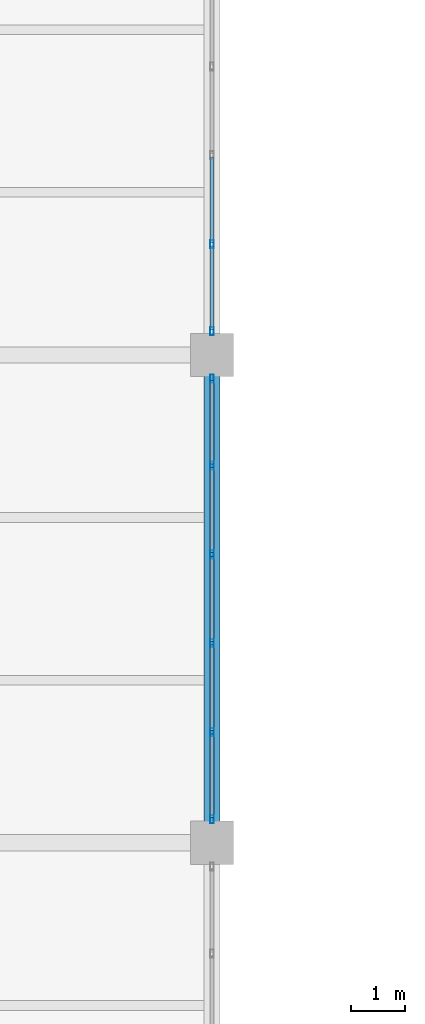
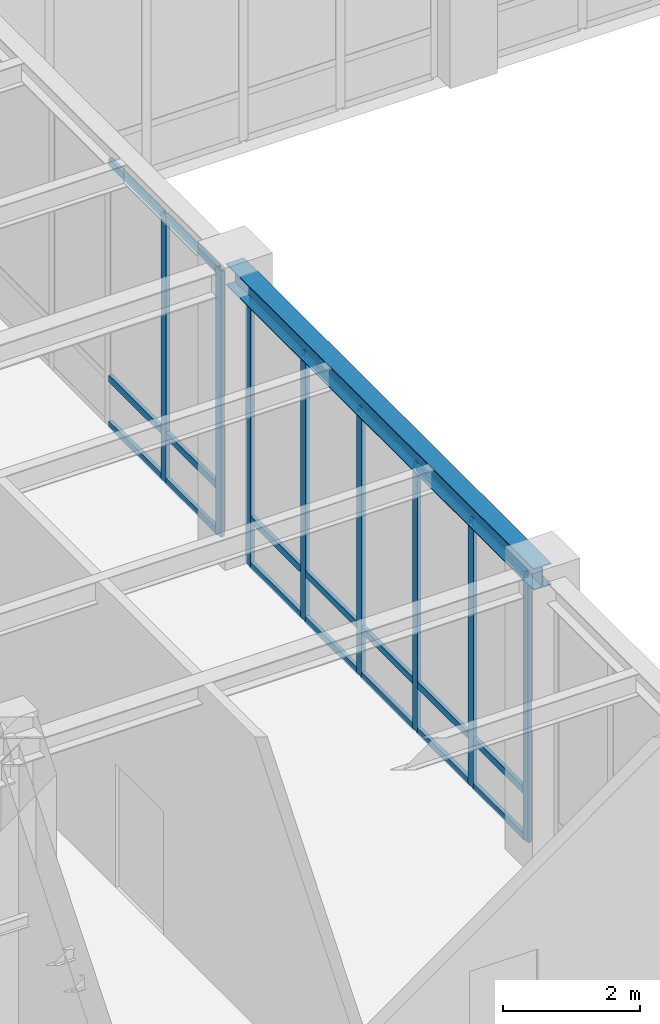
# One storey, part 25 of 77: 29 members, 1 beam, 2 elements without a shape of their own.
"""IFC4 building model written with IfcOpenShell, lengths in metres."""

from ifc_helpers import new_model, si_unit, direction, frame, origin, origin_2d, place, context, subcontext, project, spatial, hollow_rectangle, i_section, extrude, material, material_profile, profile_set, type_object, element, aggregate, save


model = new_model("IFC4")

# Units and contexts
model_context = context("Model", 3, precision=1e-05, world=origin(), true_north=direction((0.0, 1.0)))
body_context = subcontext(model_context, "Body", "Model", "MODEL_VIEW")
ifc_project = project(units=[si_unit("LENGTHUNIT", "METRE"), si_unit("AREAUNIT", "SQUARE_METRE"), si_unit("VOLUMEUNIT", "CUBIC_METRE"), si_unit("PLANEANGLEUNIT", "RADIAN"), si_unit("MASSUNIT", "GRAM", prefix="KILO")], contexts=[model_context])

# Site, building, storey
site_placement = place(None, origin())
site = spatial("IfcSite", under=ifc_project, at=site_placement, CompositionType="ELEMENT")
building_placement = place(site_placement, origin())
building = spatial("IfcBuilding", under=site, at=building_placement, Name="Lykobir Media Centre", CompositionType="ELEMENT")
storey_placement = place(building_placement, origin())
storey = spatial("IfcBuildingStorey", under=building, at=storey_placement, Name="L00", CompositionType="ELEMENT", Elevation=0.0)

# Beam
ifc_material_1 = material(Name="Steel S355", Category="steel")
ifc_material_profile_1 = material_profile(ifc_material_1, i_section(OverallWidth=0.300048828125, OverallDepth=0.389892578125, WebThickness=0.010986328125, FlangeThickness=0.01904296875, at=origin_2d()), Name="HEA 400")
ifc_profile_set_1 = profile_set([ifc_material_profile_1], Name="Steel S355")
beam_type = type_object("IfcBeamType", Name="BM-HEA400", PredefinedType="BEAM", material=ifc_profile_set_1)
beam_placement = place(storey_placement, frame((36.0, 45.0, 4.965087890625), z_axis=(0.0, 1.0, 0.0), x_axis=(-1.0, 0.0, 0.0)))
element("IfcBeam", 1, at=beam_placement, inside=storey, type_object=beam_type, Name="Beam BM-L00-0360-0450-0360-0540-496", PredefinedType="BEAM", context=body_context, shape_type="SweptSolid", body=[
    extrude(i_section(OverallWidth=0.300048828125, OverallDepth=0.389892578125, WebThickness=0.010986328125, FlangeThickness=0.01904296875, at=origin_2d()), origin(), (0.0, 0.0, 1.0), 9.0),
])

# Curtain wall, members
ifc_material_2 = material(Name="Anodized Aluminium AW-6060", Category="aluminium")
curtain_wall_type = type_object("IfcCurtainWallType", Name="CW-COURT-A", PredefinedType="NOTDEFINED", material=ifc_material_2)
curtain_wall_1_placement = place(storey_placement, origin())
curtain_wall_1 = element("IfcCurtainWall", 2, at=curtain_wall_1_placement, inside=storey, type_object=curtain_wall_type, Name="Curtain wall CW2-L00-0017", PredefinedType="NOTDEFINED")
ifc_material_profile_2 = material_profile(ifc_material_2, hollow_rectangle(XDim=0.06494140625, YDim=0.14990234375, WallThickness=0.00341796875, at=origin_2d()), Name="ALU MULLION 65x150")
ifc_profile_set_2 = profile_set([ifc_material_profile_2], Name="Anodized Aluminium AW-6060")
member_type_1 = type_object("IfcMemberType", Name="CWM-150", PredefinedType="MULLION", material=ifc_profile_set_2)
member_1_placement = place(storey_placement, frame((36.0, 53.5625, 0.0), z_axis=(0.0, 0.0, 1.0), x_axis=(1.0, 0.0, 0.0)))
member_1 = element("IfcMember", 3, at=member_1_placement, type_object=member_type_1, Name="CW2-L00-0017 mullion 1", PredefinedType="MULLION", context=body_context, shape_type="SweptSolid", body=[
    extrude(hollow_rectangle(XDim=0.06494140625, YDim=0.14990234375, WallThickness=0.00341796875, at=origin_2d()), origin(), (0.0, 0.0, 1.0), 4.7548828125),
])
member_2_placement = place(storey_placement, frame((36.0, 51.95703125, 0.0), z_axis=(0.0, 0.0, 1.0), x_axis=(1.0, 0.0, 0.0)))
member_2 = element("IfcMember", 4, at=member_2_placement, type_object=member_type_1, Name="CW2-L00-0017 mullion 2", PredefinedType="MULLION", context=body_context, shape_type="SweptSolid", body=[
    extrude(hollow_rectangle(XDim=0.06494140625, YDim=0.14990234375, WallThickness=0.00341796875, at=origin_2d()), origin(), (0.0, 0.0, 1.0), 4.7548828125),
])
member_3_placement = place(storey_placement, frame((36.0, 50.319091796875, 0.0), z_axis=(0.0, 0.0, 1.0), x_axis=(1.0, 0.0, 0.0)))
member_3 = element("IfcMember", 5, at=member_3_placement, type_object=member_type_1, Name="CW2-L00-0017 mullion 3", PredefinedType="MULLION", context=body_context, shape_type="SweptSolid", body=[
    extrude(hollow_rectangle(XDim=0.06494140625, YDim=0.14990234375, WallThickness=0.00341796875, at=origin_2d()), origin(), (0.0, 0.0, 1.0), 4.7548828125),
])
member_4_placement = place(storey_placement, frame((36.0, 48.680908203125, 0.0), z_axis=(0.0, 0.0, 1.0), x_axis=(1.0, 0.0, 0.0)))
member_4 = element("IfcMember", 6, at=member_4_placement, type_object=member_type_1, Name="CW2-L00-0017 mullion 4", PredefinedType="MULLION", context=body_context, shape_type="SweptSolid", body=[
    extrude(hollow_rectangle(XDim=0.06494140625, YDim=0.14990234375, WallThickness=0.00341796875, at=origin_2d()), origin(), (0.0, 0.0, 1.0), 4.7548828125),
])
member_5_placement = place(storey_placement, frame((36.0, 47.04296875, 0.0), z_axis=(0.0, 0.0, 1.0), x_axis=(1.0, 0.0, 0.0)))
member_5 = element("IfcMember", 7, at=member_5_placement, type_object=member_type_1, Name="CW2-L00-0017 mullion 5", PredefinedType="MULLION", context=body_context, shape_type="SweptSolid", body=[
    extrude(hollow_rectangle(XDim=0.06494140625, YDim=0.14990234375, WallThickness=0.00341796875, at=origin_2d()), origin(), (0.0, 0.0, 1.0), 4.7548828125),
])
member_6_placement = place(storey_placement, frame((36.0, 45.4375, 0.0), z_axis=(0.0, 0.0, 1.0), x_axis=(1.0, 0.0, 0.0)))
member_6 = element("IfcMember", 8, at=member_6_placement, type_object=member_type_1, Name="CW2-L00-0017 mullion 6", PredefinedType="MULLION", context=body_context, shape_type="SweptSolid", body=[
    extrude(hollow_rectangle(XDim=0.06494140625, YDim=0.14990234375, WallThickness=0.00341796875, at=origin_2d()), origin(), (0.0, 0.0, 1.0), 4.7548828125),
])

curtain_wall_2_placement = place(storey_placement, origin())
curtain_wall_2 = element("IfcCurtainWall", 9, at=curtain_wall_2_placement, inside=storey, type_object=curtain_wall_type, Name="Curtain wall CW2-L00-0018", PredefinedType="NOTDEFINED")
member_7_placement = place(storey_placement, frame((36.0, 56.04296875, 0.0), z_axis=(0.0, 0.0, 1.0), x_axis=(1.0, 0.0, 0.0)))
member_7 = element("IfcMember", 10, at=member_7_placement, type_object=member_type_1, Name="CW2-L00-0018 mullion 5", PredefinedType="MULLION", context=body_context, shape_type="SweptSolid", body=[
    extrude(hollow_rectangle(XDim=0.06494140625, YDim=0.14990234375, WallThickness=0.00341796875, at=origin_2d()), origin(), (0.0, 0.0, 1.0), 4.7548828125),
])
member_8_placement = place(storey_placement, frame((36.0, 54.4375, 0.0), z_axis=(0.0, 0.0, 1.0), x_axis=(1.0, 0.0, 0.0)))
member_8 = element("IfcMember", 11, at=member_8_placement, type_object=member_type_1, Name="CW2-L00-0018 mullion 6", PredefinedType="MULLION", context=body_context, shape_type="SweptSolid", body=[
    extrude(hollow_rectangle(XDim=0.06494140625, YDim=0.14990234375, WallThickness=0.00341796875, at=origin_2d()), origin(), (0.0, 0.0, 1.0), 4.7548828125),
])

# Member
ifc_material_profile_3 = material_profile(ifc_material_2, hollow_rectangle(XDim=0.06494140625, YDim=0.1201171875, WallThickness=0.0029296875, at=origin_2d()), Name="ALU TRANSOM 65x120")
ifc_profile_set_3 = profile_set([ifc_material_profile_3], Name="Anodized Aluminium AW-6060")
member_type_2 = type_object("IfcMemberType", Name="CWT-120", PredefinedType="USERDEFINED", material=ifc_profile_set_3)
member_9_placement = place(storey_placement, frame((36.0, 53.530029296875, 0.032470703125), z_axis=(0.0, -1.0, 0.0), x_axis=(1.0, 0.0, 0.0)))
member_9 = element("IfcMember", 12, at=member_9_placement, type_object=member_type_2, Name="CW2-L00-0017 transom 1.1", ObjectType="TRANSOM", PredefinedType="USERDEFINED", context=body_context, shape_type="SweptSolid", body=[
    extrude(hollow_rectangle(XDim=0.06494140625, YDim=0.1201171875, WallThickness=0.0029296875, at=origin_2d()), origin(), (0.0, 0.0, 1.0), 1.54052734375),
])

member_10_placement = place(storey_placement, frame((36.0, 53.530029296875, 0.85009765625), z_axis=(0.0, -1.0, 0.0), x_axis=(1.0, 0.0, 0.0)))
member_10 = element("IfcMember", 13, at=member_10_placement, type_object=member_type_2, Name="CW2-L00-0017 transom 1.2", ObjectType="TRANSOM", PredefinedType="USERDEFINED", context=body_context, shape_type="SweptSolid", body=[
    extrude(hollow_rectangle(XDim=0.06494140625, YDim=0.1201171875, WallThickness=0.0029296875, at=origin_2d()), origin(), (0.0, 0.0, 1.0), 1.54052734375),
])

member_11_placement = place(storey_placement, frame((36.0, 53.530029296875, 4.722412109375), z_axis=(0.0, -1.0, 0.0), x_axis=(1.0, 0.0, 0.0)))
member_11 = element("IfcMember", 14, at=member_11_placement, type_object=member_type_2, Name="CW2-L00-0017 transom 1.3", ObjectType="TRANSOM", PredefinedType="USERDEFINED", context=body_context, shape_type="SweptSolid", body=[
    extrude(hollow_rectangle(XDim=0.06494140625, YDim=0.1201171875, WallThickness=0.0029296875, at=origin_2d()), origin(), (0.0, 0.0, 1.0), 1.54052734375),
])

member_12_placement = place(storey_placement, frame((36.0, 51.924560546875, 0.032470703125), z_axis=(0.0, -1.0, 0.0), x_axis=(1.0, 0.0, 0.0)))
member_12 = element("IfcMember", 15, at=member_12_placement, type_object=member_type_2, Name="CW2-L00-0017 transom 2.1", ObjectType="TRANSOM", PredefinedType="USERDEFINED", context=body_context, shape_type="SweptSolid", body=[
    extrude(hollow_rectangle(XDim=0.06494140625, YDim=0.1201171875, WallThickness=0.0029296875, at=origin_2d()), origin(), (0.0, 0.0, 1.0), 1.572998046875),
])

member_13_placement = place(storey_placement, frame((36.0, 51.924560546875, 0.85009765625), z_axis=(0.0, -1.0, 0.0), x_axis=(1.0, 0.0, 0.0)))
member_13 = element("IfcMember", 16, at=member_13_placement, type_object=member_type_2, Name="CW2-L00-0017 transom 2.2", ObjectType="TRANSOM", PredefinedType="USERDEFINED", context=body_context, shape_type="SweptSolid", body=[
    extrude(hollow_rectangle(XDim=0.06494140625, YDim=0.1201171875, WallThickness=0.0029296875, at=origin_2d()), origin(), (0.0, 0.0, 1.0), 1.572998046875),
])

member_14_placement = place(storey_placement, frame((36.0, 51.924560546875, 4.722412109375), z_axis=(0.0, -1.0, 0.0), x_axis=(1.0, 0.0, 0.0)))
member_14 = element("IfcMember", 17, at=member_14_placement, type_object=member_type_2, Name="CW2-L00-0017 transom 2.3", ObjectType="TRANSOM", PredefinedType="USERDEFINED", context=body_context, shape_type="SweptSolid", body=[
    extrude(hollow_rectangle(XDim=0.06494140625, YDim=0.1201171875, WallThickness=0.0029296875, at=origin_2d()), origin(), (0.0, 0.0, 1.0), 1.572998046875),
])

member_15_placement = place(storey_placement, frame((36.0, 50.28662109375, 0.032470703125), z_axis=(0.0, -1.0, 0.0), x_axis=(1.0, 0.0, 0.0)))
member_15 = element("IfcMember", 18, at=member_15_placement, type_object=member_type_2, Name="CW2-L00-0017 transom 3.1", ObjectType="TRANSOM", PredefinedType="USERDEFINED", context=body_context, shape_type="SweptSolid", body=[
    extrude(hollow_rectangle(XDim=0.06494140625, YDim=0.1201171875, WallThickness=0.0029296875, at=origin_2d()), origin(), (0.0, 0.0, 1.0), 1.5732421875),
])

member_16_placement = place(storey_placement, frame((36.0, 50.28662109375, 0.85009765625), z_axis=(0.0, -1.0, 0.0), x_axis=(1.0, 0.0, 0.0)))
member_16 = element("IfcMember", 19, at=member_16_placement, type_object=member_type_2, Name="CW2-L00-0017 transom 3.2", ObjectType="TRANSOM", PredefinedType="USERDEFINED", context=body_context, shape_type="SweptSolid", body=[
    extrude(hollow_rectangle(XDim=0.06494140625, YDim=0.1201171875, WallThickness=0.0029296875, at=origin_2d()), origin(), (0.0, 0.0, 1.0), 1.5732421875),
])

member_17_placement = place(storey_placement, frame((36.0, 50.28662109375, 4.722412109375), z_axis=(0.0, -1.0, 0.0), x_axis=(1.0, 0.0, 0.0)))
member_17 = element("IfcMember", 20, at=member_17_placement, type_object=member_type_2, Name="CW2-L00-0017 transom 3.3", ObjectType="TRANSOM", PredefinedType="USERDEFINED", context=body_context, shape_type="SweptSolid", body=[
    extrude(hollow_rectangle(XDim=0.06494140625, YDim=0.1201171875, WallThickness=0.0029296875, at=origin_2d()), origin(), (0.0, 0.0, 1.0), 1.5732421875),
])

member_18_placement = place(storey_placement, frame((36.0, 48.6484375, 0.032470703125), z_axis=(0.0, -1.0, 0.0), x_axis=(1.0, 0.0, 0.0)))
member_18 = element("IfcMember", 21, at=member_18_placement, type_object=member_type_2, Name="CW2-L00-0017 transom 4.1", ObjectType="TRANSOM", PredefinedType="USERDEFINED", context=body_context, shape_type="SweptSolid", body=[
    extrude(hollow_rectangle(XDim=0.06494140625, YDim=0.1201171875, WallThickness=0.0029296875, at=origin_2d()), origin(), (0.0, 0.0, 1.0), 1.572998046875),
])

member_19_placement = place(storey_placement, frame((36.0, 48.6484375, 0.85009765625), z_axis=(0.0, -1.0, 0.0), x_axis=(1.0, 0.0, 0.0)))
member_19 = element("IfcMember", 22, at=member_19_placement, type_object=member_type_2, Name="CW2-L00-0017 transom 4.2", ObjectType="TRANSOM", PredefinedType="USERDEFINED", context=body_context, shape_type="SweptSolid", body=[
    extrude(hollow_rectangle(XDim=0.06494140625, YDim=0.1201171875, WallThickness=0.0029296875, at=origin_2d()), origin(), (0.0, 0.0, 1.0), 1.572998046875),
])

member_20_placement = place(storey_placement, frame((36.0, 48.6484375, 4.722412109375), z_axis=(0.0, -1.0, 0.0), x_axis=(1.0, 0.0, 0.0)))
member_20 = element("IfcMember", 23, at=member_20_placement, type_object=member_type_2, Name="CW2-L00-0017 transom 4.3", ObjectType="TRANSOM", PredefinedType="USERDEFINED", context=body_context, shape_type="SweptSolid", body=[
    extrude(hollow_rectangle(XDim=0.06494140625, YDim=0.1201171875, WallThickness=0.0029296875, at=origin_2d()), origin(), (0.0, 0.0, 1.0), 1.572998046875),
])

member_21_placement = place(storey_placement, frame((36.0, 47.010498046875, 0.032470703125), z_axis=(0.0, -1.0, 0.0), x_axis=(1.0, 0.0, 0.0)))
member_21 = element("IfcMember", 24, at=member_21_placement, type_object=member_type_2, Name="CW2-L00-0017 transom 5.1", ObjectType="TRANSOM", PredefinedType="USERDEFINED", context=body_context, shape_type="SweptSolid", body=[
    extrude(hollow_rectangle(XDim=0.06494140625, YDim=0.1201171875, WallThickness=0.0029296875, at=origin_2d()), origin(), (0.0, 0.0, 1.0), 1.54052734375),
])

member_22_placement = place(storey_placement, frame((36.0, 47.010498046875, 0.85009765625), z_axis=(0.0, -1.0, 0.0), x_axis=(1.0, 0.0, 0.0)))
member_22 = element("IfcMember", 25, at=member_22_placement, type_object=member_type_2, Name="CW2-L00-0017 transom 5.2", ObjectType="TRANSOM", PredefinedType="USERDEFINED", context=body_context, shape_type="SweptSolid", body=[
    extrude(hollow_rectangle(XDim=0.06494140625, YDim=0.1201171875, WallThickness=0.0029296875, at=origin_2d()), origin(), (0.0, 0.0, 1.0), 1.54052734375),
])

member_23_placement = place(storey_placement, frame((36.0, 47.010498046875, 4.722412109375), z_axis=(0.0, -1.0, 0.0), x_axis=(1.0, 0.0, 0.0)))
member_23 = element("IfcMember", 26, at=member_23_placement, type_object=member_type_2, Name="CW2-L00-0017 transom 5.3", ObjectType="TRANSOM", PredefinedType="USERDEFINED", context=body_context, shape_type="SweptSolid", body=[
    extrude(hollow_rectangle(XDim=0.06494140625, YDim=0.1201171875, WallThickness=0.0029296875, at=origin_2d()), origin(), (0.0, 0.0, 1.0), 1.54052734375),
])

aggregate(curtain_wall_1, [member_1, member_2, member_3, member_4, member_5, member_6, member_9, member_10, member_11, member_12, member_13, member_14, member_15, member_16, member_17, member_18, member_19, member_20, member_21, member_22, member_23])

member_24_placement = place(storey_placement, frame((36.0, 57.6484375, 0.032470703125), z_axis=(0.0, -1.0, 0.0), x_axis=(1.0, 0.0, 0.0)))
member_24 = element("IfcMember", 27, at=member_24_placement, type_object=member_type_2, Name="CW2-L00-0018 transom 4.1", ObjectType="TRANSOM", PredefinedType="USERDEFINED", context=body_context, shape_type="SweptSolid", body=[
    extrude(hollow_rectangle(XDim=0.06494140625, YDim=0.1201171875, WallThickness=0.0029296875, at=origin_2d()), origin(), (0.0, 0.0, 1.0), 1.572998046875),
])

member_25_placement = place(storey_placement, frame((36.0, 57.6484375, 0.85009765625), z_axis=(0.0, -1.0, 0.0), x_axis=(1.0, 0.0, 0.0)))
member_25 = element("IfcMember", 28, at=member_25_placement, type_object=member_type_2, Name="CW2-L00-0018 transom 4.2", ObjectType="TRANSOM", PredefinedType="USERDEFINED", context=body_context, shape_type="SweptSolid", body=[
    extrude(hollow_rectangle(XDim=0.06494140625, YDim=0.1201171875, WallThickness=0.0029296875, at=origin_2d()), origin(), (0.0, 0.0, 1.0), 1.572998046875),
])

member_26_placement = place(storey_placement, frame((36.0, 57.6484375, 4.722412109375), z_axis=(0.0, -1.0, 0.0), x_axis=(1.0, 0.0, 0.0)))
member_26 = element("IfcMember", 29, at=member_26_placement, type_object=member_type_2, Name="CW2-L00-0018 transom 4.3", ObjectType="TRANSOM", PredefinedType="USERDEFINED", context=body_context, shape_type="SweptSolid", body=[
    extrude(hollow_rectangle(XDim=0.06494140625, YDim=0.1201171875, WallThickness=0.0029296875, at=origin_2d()), origin(), (0.0, 0.0, 1.0), 1.572998046875),
])

member_27_placement = place(storey_placement, frame((36.0, 56.010498046875, 0.032470703125), z_axis=(0.0, -1.0, 0.0), x_axis=(1.0, 0.0, 0.0)))
member_27 = element("IfcMember", 30, at=member_27_placement, type_object=member_type_2, Name="CW2-L00-0018 transom 5.1", ObjectType="TRANSOM", PredefinedType="USERDEFINED", context=body_context, shape_type="SweptSolid", body=[
    extrude(hollow_rectangle(XDim=0.06494140625, YDim=0.1201171875, WallThickness=0.0029296875, at=origin_2d()), origin(), (0.0, 0.0, 1.0), 1.54052734375),
])

member_28_placement = place(storey_placement, frame((36.0, 56.010498046875, 0.85009765625), z_axis=(0.0, -1.0, 0.0), x_axis=(1.0, 0.0, 0.0)))
member_28 = element("IfcMember", 31, at=member_28_placement, type_object=member_type_2, Name="CW2-L00-0018 transom 5.2", ObjectType="TRANSOM", PredefinedType="USERDEFINED", context=body_context, shape_type="SweptSolid", body=[
    extrude(hollow_rectangle(XDim=0.06494140625, YDim=0.1201171875, WallThickness=0.0029296875, at=origin_2d()), origin(), (0.0, 0.0, 1.0), 1.54052734375),
])

member_29_placement = place(storey_placement, frame((36.0, 56.010498046875, 4.722412109375), z_axis=(0.0, -1.0, 0.0), x_axis=(1.0, 0.0, 0.0)))
member_29 = element("IfcMember", 32, at=member_29_placement, type_object=member_type_2, Name="CW2-L00-0018 transom 5.3", ObjectType="TRANSOM", PredefinedType="USERDEFINED", context=body_context, shape_type="SweptSolid", body=[
    extrude(hollow_rectangle(XDim=0.06494140625, YDim=0.1201171875, WallThickness=0.0029296875, at=origin_2d()), origin(), (0.0, 0.0, 1.0), 1.54052734375),
])

aggregate(curtain_wall_2, [member_7, member_8, member_24, member_25, member_26, member_27, member_28, member_29])

save(model, "model.ifc")
